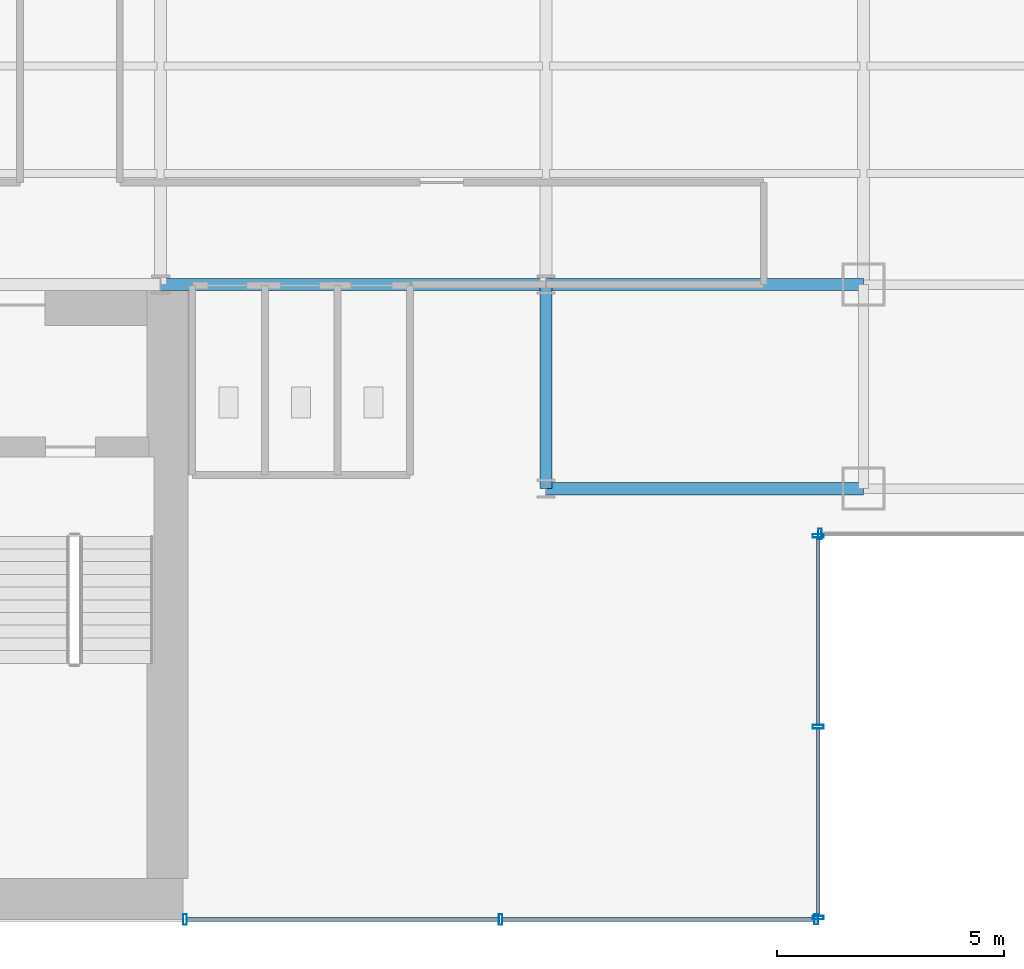
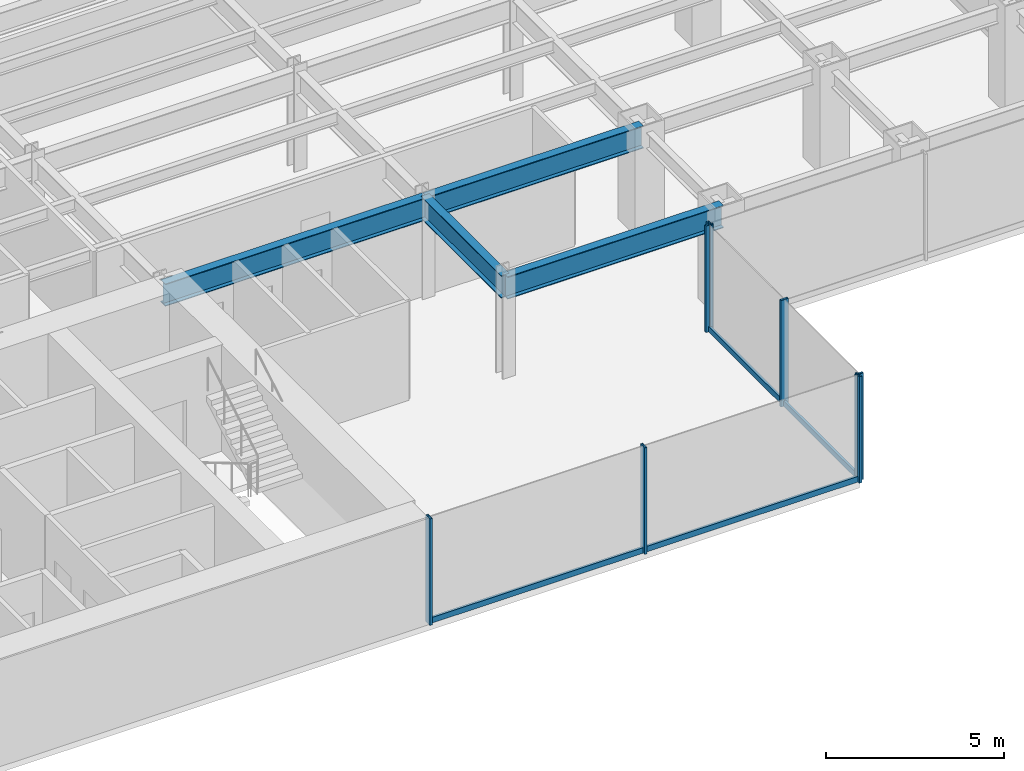
# One storey, part 6 of 22: 11 members, 4 beams, 3 elements without a shape of their own.
"""IFC4 building model written with IfcOpenShell, lengths in metres."""

from ifc_helpers import new_model, si_unit, derived_unit, direction, frame, origin, origin_2d, place, context, subcontext, project, spatial, hollow_rectangle, i_section, extrude, source, transform, mapped, material, material_profile, profile_set, type_object, element, aggregate, save


model = new_model("IFC4")

# Units and contexts
model_context = context("Model", 3, precision=1e-05, world=origin(), true_north=direction((0.0, 1.0)))
body_context = subcontext(model_context, "Body", "Model", "MODEL_VIEW")
ifc_project = project(units=[si_unit("LENGTHUNIT", "METRE"), si_unit("AREAUNIT", "SQUARE_METRE"), si_unit("VOLUMEUNIT", "CUBIC_METRE"), si_unit("PLANEANGLEUNIT", "RADIAN"), si_unit("MASSUNIT", "GRAM", prefix="KILO"), derived_unit("THERMALTRANSMITTANCEUNIT", [(si_unit("POWERUNIT", "WATT"), 1), (si_unit("LENGTHUNIT", "METRE"), -2), (si_unit("THERMODYNAMICTEMPERATUREUNIT", "KELVIN"), -1)])], contexts=[model_context])

# Site, building, storey
site_placement = place(None, origin())
site = spatial("IfcSite", under=ifc_project, at=site_placement, CompositionType="ELEMENT")
building_placement = place(site_placement, origin())
building = spatial("IfcBuilding", under=site, at=building_placement, Name="Skarnbrae Concourse Arena and Tower", CompositionType="ELEMENT")
storey_placement = place(building_placement, frame((0.0, 0.0, 61.699951171875)))
storey = spatial("IfcBuildingStorey", under=building, at=storey_placement, Name="L14", CompositionType="ELEMENT", Elevation=61.699951171875)

# Beams
ifc_material_1 = material(Name="Steel CSA G40.21 350W", Category="steel")
ifc_material_profile_1 = material_profile(ifc_material_1, i_section(OverallWidth=0.26806640625, OverallDepth=0.77001953125, WebThickness=0.015625, FlangeThickness=0.025390625, at=origin_2d()), Name="W760X196")
ifc_profile_set_1 = profile_set([ifc_material_profile_1], Name="Steel CSA G40.21 350W")
beam_type = type_object("IfcBeamType", Name="BM-GIRD-W760X196", PredefinedType="BEAM", material=ifc_profile_set_1)
shared_shape_1 = source(origin(), body_context, "Body", "SweptSolid", [
    extrude(i_section(OverallWidth=0.26806640625, OverallDepth=0.77001953125, WebThickness=0.015625, FlangeThickness=0.025390625, at=origin_2d()), origin(), (0.0, 0.0, 1.0), 7.0),
])
for number, where, z_axis, x_axis, name in (
    (1, (42.0, 9.5, 3.01513671875), (1.0, 0.0, 0.0), (0.0, 1.0, 0.0), "L14 Primary E-W girder Y9.5-2"),
    (2, (42.0, 14.0, 3.01513671875), (1.0, 0.0, 0.0), (0.0, 1.0, 0.0), "L14 Primary E-W girder Y14.0-7"),
):
    element("IfcBeam", number, at=place(storey_placement, frame(where, z_axis=z_axis, x_axis=x_axis)), inside=storey, type_object=beam_type, Name=name, PredefinedType="BEAM", context=body_context, shape_type="MappedRepresentation", body=[
        mapped(shared_shape_1, transform((0.0, 0.0, 0.0))),
    ])
shared_shape_2 = source(origin(), body_context, "Body", "SweptSolid", [
    extrude(i_section(OverallWidth=0.26806640625, OverallDepth=0.77001953125, WebThickness=0.015625, FlangeThickness=0.025390625, at=origin_2d()), origin(), (0.0, 0.0, 1.0), 8.5),
])
beam_1_placement = place(storey_placement, frame((33.5, 14.0, 3.01513671875), z_axis=(1.0, 0.0, 0.0), x_axis=(0.0, 1.0, 0.0)))
element("IfcBeam", 3, at=beam_1_placement, inside=storey, type_object=beam_type, Name="L14 Primary E-W girder Y14.0-6", PredefinedType="BEAM", context=body_context, shape_type="MappedRepresentation", body=[
    mapped(shared_shape_2, transform((0.0, 0.0, 0.0))),
])
shared_shape_3 = source(origin(), body_context, "Body", "SweptSolid", [
    extrude(i_section(OverallWidth=0.26806640625, OverallDepth=0.77001953125, WebThickness=0.015625, FlangeThickness=0.025390625, at=origin_2d()), origin(), (0.0, 0.0, 1.0), 4.5),
])
beam_2_placement = place(storey_placement, frame((42.0, 9.5, 3.01513671875), z_axis=(0.0, 1.0, 0.0), x_axis=(-1.0, 0.0, 0.0)))
element("IfcBeam", 4, at=beam_2_placement, inside=storey, type_object=beam_type, Name="L14 Primary N-S girder X42.0-1", PredefinedType="BEAM", context=body_context, shape_type="MappedRepresentation", body=[
    mapped(shared_shape_3, transform((0.0, 0.0, 0.0))),
])

# Curtain wall, members
ifc_material_2 = material(Name="Bronze anodised aluminium 6063-T6", Category="aluminium")
curtain_wall_type = type_object("IfcCurtainWallType", Name="CW-SYS-02-LOWZONE", PredefinedType="USERDEFINED", material=ifc_material_2)
curtain_wall_1_placement = place(storey_placement, origin())
curtain_wall_1 = element("IfcCurtainWall", 5, at=curtain_wall_1_placement, inside=storey, type_object=curtain_wall_type, Name="L14 Unitised curtain wall CW-L14-SE-SPINE", ObjectType="UNITISED CURTAIN WALL", PredefinedType="USERDEFINED")
ifc_material_profile_2 = material_profile(ifc_material_2, hollow_rectangle(XDim=0.080078125, YDim=0.18994140625, WallThickness=0.0048828125, at=origin_2d()), Name="ALU-TRAN-80X190")
ifc_profile_set_2 = profile_set([ifc_material_profile_2], Name="Bronze anodised aluminium 6063-T6")
member_type_1 = type_object("IfcMemberType", Name="CWT-CW-02", PredefinedType="USERDEFINED", material=ifc_profile_set_2)
shared_shape_4 = source(origin(), body_context, "Body", "SweptSolid", [
    extrude(hollow_rectangle(XDim=0.080078125, YDim=0.18994140625, WallThickness=0.0048828125, at=origin_2d()), origin(), (0.0, 0.0, 1.0), 6.8798828125),
])
member_1_placement = place(storey_placement, frame((34.080078125, 0.0, 0.094970703125), z_axis=(1.0, 0.0, 0.0), x_axis=(0.0, 1.0, 0.0)))
member_1 = element("IfcMember", 6, at=member_1_placement, type_object=member_type_1, Name="CW-L14-SE-SPINE Transom 1", ObjectType="TRANSOM", PredefinedType="USERDEFINED", context=body_context, shape_type="MappedRepresentation", body=[
    mapped(shared_shape_4, transform((0.0, 0.0, 0.0))),
])
member_2_placement = place(storey_placement, frame((41.0400390625, 0.0, 0.094970703125), z_axis=(1.0, 0.0, 0.0), x_axis=(0.0, 1.0, 0.0)))
member_2 = element("IfcMember", 7, at=member_2_placement, type_object=member_type_1, Name="CW-L14-SE-SPINE Transom 2", ObjectType="TRANSOM", PredefinedType="USERDEFINED", context=body_context, shape_type="MappedRepresentation", body=[
    mapped(shared_shape_4, transform((0.0, 0.0, 0.0))),
])

curtain_wall_2_placement = place(storey_placement, origin())
curtain_wall_2 = element("IfcCurtainWall", 8, at=curtain_wall_2_placement, inside=storey, type_object=curtain_wall_type, Name="L14 Unitised curtain wall CW-L14-E02", ObjectType="UNITISED CURTAIN WALL", PredefinedType="USERDEFINED")
shared_shape_5 = source(origin(), body_context, "Body", "SweptSolid", [
    extrude(hollow_rectangle(XDim=0.080078125, YDim=0.18994140625, WallThickness=0.0048828125, at=origin_2d()), origin(), (0.0, 0.0, 1.0), 4.1298828125),
])
member_3_placement = place(storey_placement, frame((48.0, 0.080078125, 0.094970703125), z_axis=(0.0, 1.0, 0.0), x_axis=(-1.0, 0.0, 0.0)))
member_3 = element("IfcMember", 9, at=member_3_placement, type_object=member_type_1, Name="CW-L14-E02 Transom 1", ObjectType="TRANSOM", PredefinedType="USERDEFINED", context=body_context, shape_type="MappedRepresentation", body=[
    mapped(shared_shape_5, transform((0.0, 0.0, 0.0))),
])
member_4_placement = place(storey_placement, frame((48.0, 4.2900390625, 0.094970703125), z_axis=(0.0, 1.0, 0.0), x_axis=(-1.0, 0.0, 0.0)))
member_4 = element("IfcMember", 10, at=member_4_placement, type_object=member_type_1, Name="CW-L14-E02 Transom 2", ObjectType="TRANSOM", PredefinedType="USERDEFINED", context=body_context, shape_type="MappedRepresentation", body=[
    mapped(shared_shape_5, transform((0.0, 0.0, 0.0))),
])

# Member
ifc_material_profile_3 = material_profile(ifc_material_2, hollow_rectangle(XDim=0.080078125, YDim=0.239990234375, WallThickness=0.0048828125, at=origin_2d()), Name="ALU-MULL-80X240")
ifc_profile_set_3 = profile_set([ifc_material_profile_3], Name="Bronze anodised aluminium 6063-T6")
member_type_2 = type_object("IfcMemberType", Name="CWM-CW-02", PredefinedType="MULLION", material=ifc_profile_set_3)
shared_shape_6 = source(origin(), body_context, "Body", "SweptSolid", [
    extrude(hollow_rectangle(XDim=0.080078125, YDim=0.239990234375, WallThickness=0.0048828125, at=origin_2d()), origin(), (0.0, 0.0, 1.0), 3.650146484375),
])
member_5_placement = place(storey_placement, frame((34.0400390625, 0.0, 0.0), z_axis=(0.0, 0.0, 1.0), x_axis=(1.0, 0.0, 0.0)))
member_5 = element("IfcMember", 11, at=member_5_placement, type_object=member_type_2, Name="CW-L14-SE-SPINE Mullion 1", PredefinedType="MULLION", context=body_context, shape_type="MappedRepresentation", body=[
    mapped(shared_shape_6, transform((0.0, 0.0, 0.0))),
])

member_6_placement = place(storey_placement, frame((41.0, 0.0, 0.0), z_axis=(0.0, 0.0, 1.0), x_axis=(1.0, 0.0, 0.0)))
member_6 = element("IfcMember", 12, at=member_6_placement, type_object=member_type_2, Name="CW-L14-SE-SPINE Mullion 2", PredefinedType="MULLION", context=body_context, shape_type="MappedRepresentation", body=[
    mapped(shared_shape_6, transform((0.0, 0.0, 0.0))),
])

member_7_placement = place(storey_placement, frame((47.9599609375, 0.0, 0.0), z_axis=(0.0, 0.0, 1.0), x_axis=(1.0, 0.0, 0.0)))
member_7 = element("IfcMember", 13, at=member_7_placement, type_object=member_type_2, Name="CW-L14-SE-SPINE Mullion 3", PredefinedType="MULLION", context=body_context, shape_type="MappedRepresentation", body=[
    mapped(shared_shape_6, transform((0.0, 0.0, 0.0))),
])

aggregate(curtain_wall_1, [member_5, member_6, member_7, member_1, member_2])

member_8_placement = place(storey_placement, frame((48.0, 0.0400390625, 0.0), z_axis=(0.0, 0.0, 1.0), x_axis=(0.0, 1.0, 0.0)))
member_8 = element("IfcMember", 14, at=member_8_placement, type_object=member_type_2, Name="CW-L14-E02 Mullion 1", PredefinedType="MULLION", context=body_context, shape_type="MappedRepresentation", body=[
    mapped(shared_shape_6, transform((0.0, 0.0, 0.0))),
])

member_9_placement = place(storey_placement, frame((48.0, 4.25, 0.0), z_axis=(0.0, 0.0, 1.0), x_axis=(0.0, 1.0, 0.0)))
member_9 = element("IfcMember", 15, at=member_9_placement, type_object=member_type_2, Name="CW-L14-E02 Mullion 2", PredefinedType="MULLION", context=body_context, shape_type="MappedRepresentation", body=[
    mapped(shared_shape_6, transform((0.0, 0.0, 0.0))),
])

member_10_placement = place(storey_placement, frame((48.0, 8.4599609375, 0.0), z_axis=(0.0, 0.0, 1.0), x_axis=(0.0, 1.0, 0.0)))
member_10 = element("IfcMember", 16, at=member_10_placement, type_object=member_type_2, Name="CW-L14-E02 Mullion 3", PredefinedType="MULLION", context=body_context, shape_type="MappedRepresentation", body=[
    mapped(shared_shape_6, transform((0.0, 0.0, 0.0))),
])

aggregate(curtain_wall_2, [member_8, member_9, member_10, member_3, member_4])

# Curtain wall, member
curtain_wall_3_placement = place(storey_placement, origin())
curtain_wall_3 = element("IfcCurtainWall", 17, at=curtain_wall_3_placement, inside=storey, type_object=curtain_wall_type, Name="L14 Unitised curtain wall CW-L14-E03", ObjectType="UNITISED CURTAIN WALL", PredefinedType="USERDEFINED")
member_11_placement = place(storey_placement, frame((48.0400390625, 8.5, 0.0), z_axis=(0.0, 0.0, 1.0), x_axis=(1.0, 0.0, 0.0)))
member_11 = element("IfcMember", 18, at=member_11_placement, type_object=member_type_2, Name="CW-L14-E03 Mullion 1", PredefinedType="MULLION", context=body_context, shape_type="MappedRepresentation", body=[
    mapped(shared_shape_6, transform((0.0, 0.0, 0.0))),
])
aggregate(curtain_wall_3, [member_11])

save(model, "model.ifc")
